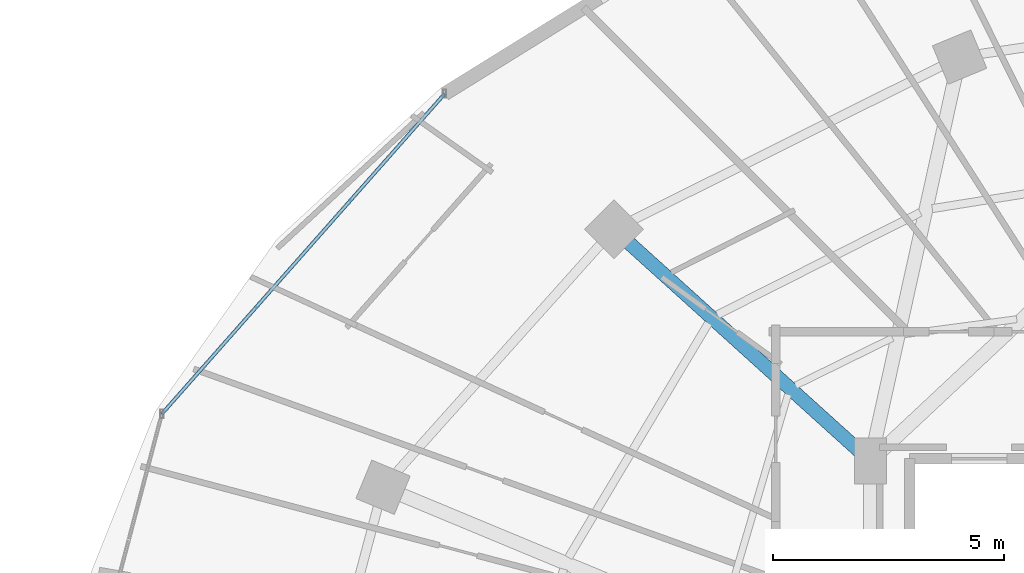
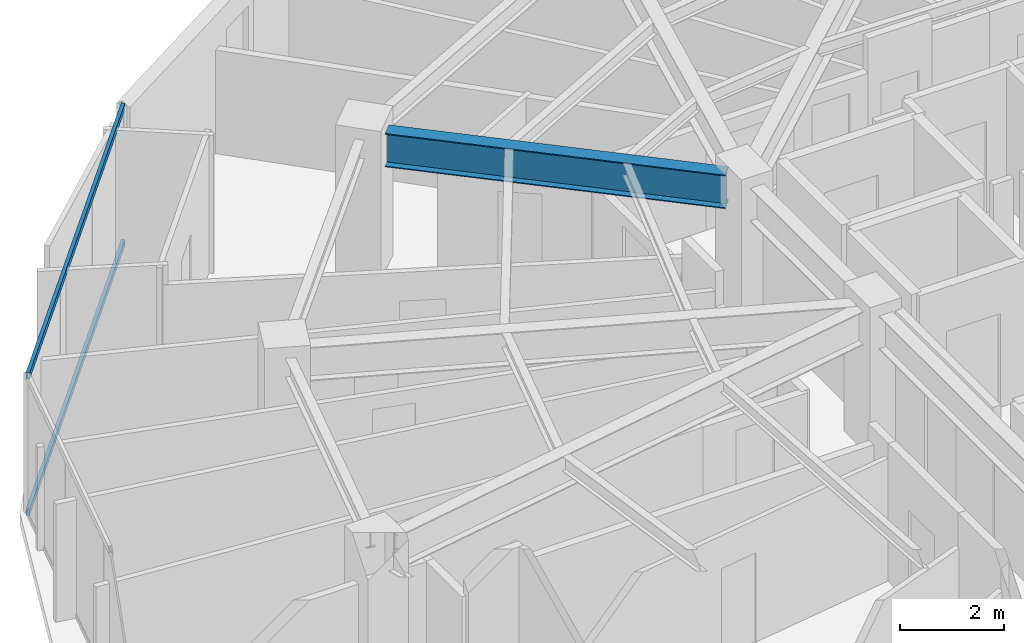
# One storey, part 16 of 34: 2 members, 1 beam, 1 element without a shape of its own.
"""IFC4 building model written with IfcOpenShell, lengths in metres."""

from ifc_helpers import new_model, si_unit, direction, frame, origin, origin_2d, place, context, subcontext, project, spatial, hollow_rectangle, i_section, extrude, material, material_profile, profile_set, type_object, element, aggregate, save


model = new_model("IFC4")

# Units and contexts
model_context = context("Model", 3, precision=1e-05, world=origin(), true_north=direction((0.0, 1.0)))
body_context = subcontext(model_context, "Body", "Model", "MODEL_VIEW")
ifc_project = project(units=[si_unit("LENGTHUNIT", "METRE"), si_unit("AREAUNIT", "SQUARE_METRE"), si_unit("VOLUMEUNIT", "CUBIC_METRE"), si_unit("PLANEANGLEUNIT", "RADIAN"), si_unit("MASSUNIT", "GRAM", prefix="KILO")], contexts=[model_context])

# Site, building, storey
site_placement = place(None, origin())
site = spatial("IfcSite", under=ifc_project, at=site_placement, CompositionType="ELEMENT")
building_placement = place(site_placement, origin())
building = spatial("IfcBuilding", under=site, at=building_placement, Name="Vorneva Point Tower", CompositionType="ELEMENT")
storey_placement = place(building_placement, frame((0.0, 0.0, 182.60009765625)))
storey = spatial("IfcBuildingStorey", under=building, at=storey_placement, Name="L49", CompositionType="ELEMENT", Elevation=182.60009765625)

# Beam
ifc_material_1 = material(Name="Steel S355", Category="steel")
ifc_material_profile_1 = material_profile(ifc_material_1, i_section(OverallWidth=0.300048828125, OverallDepth=0.7880859375, WebThickness=0.014404296875, FlangeThickness=0.02197265625, at=origin_2d()), Name="80Sh1")
ifc_profile_set_1 = profile_set([ifc_material_profile_1], Name="Steel S355")
beam_type = type_object("IfcBeamType", Name="BM-GRD-80Sh1", PredefinedType="USERDEFINED", material=ifc_profile_set_1)
beam_placement = place(storey_placement, frame((22.026123046875, 37.86865234375, 2.845947265625), z_axis=(0.742089778537, -0.670300500217, 0.0), x_axis=(0.670300500217, 0.742089778537, 0.0)))
element("IfcBeam", 1, at=beam_placement, inside=storey, type_object=beam_type, Name="L49 Radial Primary Girder 07", ObjectType="GIRDER", PredefinedType="USERDEFINED", context=body_context, shape_type="SweptSolid", body=[
    extrude(i_section(OverallWidth=0.300048828125, OverallDepth=0.7880859375, WebThickness=0.014404296875, FlangeThickness=0.02197265625, at=origin_2d()), origin(), (0.0, 0.0, 1.0), 6.699462890625),
])

# Curtain wall, members
ifc_material_2 = material(Name="Pale anodised aluminium", Category="aluminium")
curtain_wall_type = type_object("IfcCurtainWallType", Name="CW-RES-SYS", PredefinedType="NOTDEFINED", material=ifc_material_2)
curtain_wall_placement = place(storey_placement, origin())
curtain_wall = element("IfcCurtainWall", 2, at=curtain_wall_placement, inside=storey, type_object=curtain_wall_type, Name="L49 Unitised Curtain Wall CW-L49-R02", PredefinedType="NOTDEFINED")
ifc_material_profile_2 = material_profile(ifc_material_2, hollow_rectangle(XDim=0.074951171875, YDim=0.14990234375, WallThickness=0.00390625, at=origin_2d()), Name="AL-TRN 150x75x4")
ifc_profile_set_2 = profile_set([ifc_material_profile_2], Name="Pale anodised aluminium")
member_type = type_object("IfcMemberType", Name="CW-TRN-150", PredefinedType="USERDEFINED", material=ifc_profile_set_2)
member_1_placement = place(storey_placement, frame((18.038330078125, 41.0966796875, 0.02001953125), z_axis=(-0.662106383869, -0.749409858782, 0.0), x_axis=(0.749409858782, -0.662106383869, 0.0)))
member_1 = element("IfcMember", 3, at=member_1_placement, type_object=member_type, Name="CW-L49-R02 Transom 01.1", ObjectType="TRANSOM", PredefinedType="USERDEFINED", context=body_context, shape_type="SweptSolid", body=[
    extrude(hollow_rectangle(XDim=0.074951171875, YDim=0.14990234375, WallThickness=0.00390625, at=origin_2d()), origin(), (0.0, 0.0, 1.0), 9.2421875),
])
member_2_placement = place(storey_placement, frame((18.038330078125, 41.0966796875, 3.219970703125), z_axis=(-0.662106383869, -0.749409858782, 0.0), x_axis=(0.749409858782, -0.662106383869, 0.0)))
member_2 = element("IfcMember", 4, at=member_2_placement, type_object=member_type, Name="CW-L49-R02 Transom 01.2", ObjectType="TRANSOM", PredefinedType="USERDEFINED", context=body_context, shape_type="SweptSolid", body=[
    extrude(hollow_rectangle(XDim=0.074951171875, YDim=0.14990234375, WallThickness=0.00390625, at=origin_2d()), origin(), (0.0, 0.0, 1.0), 9.2421875),
])
aggregate(curtain_wall, [member_1, member_2])

save(model, "model.ifc")
